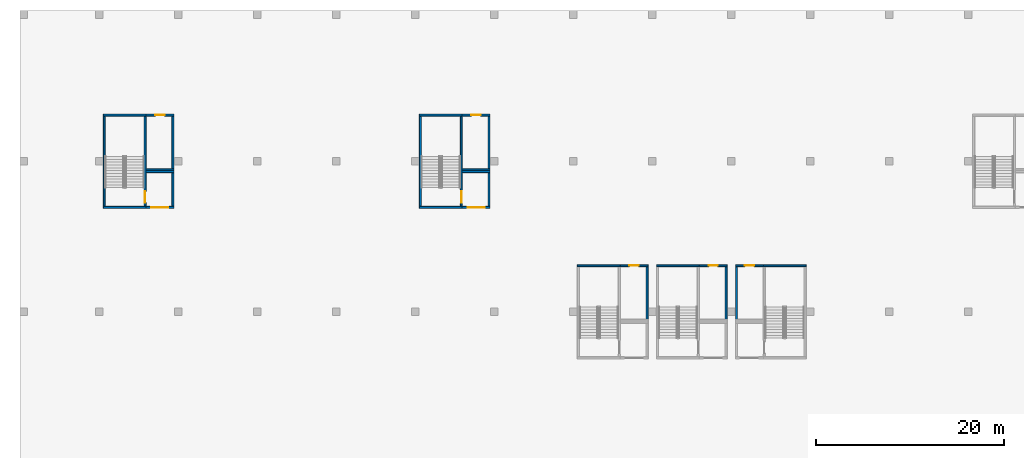
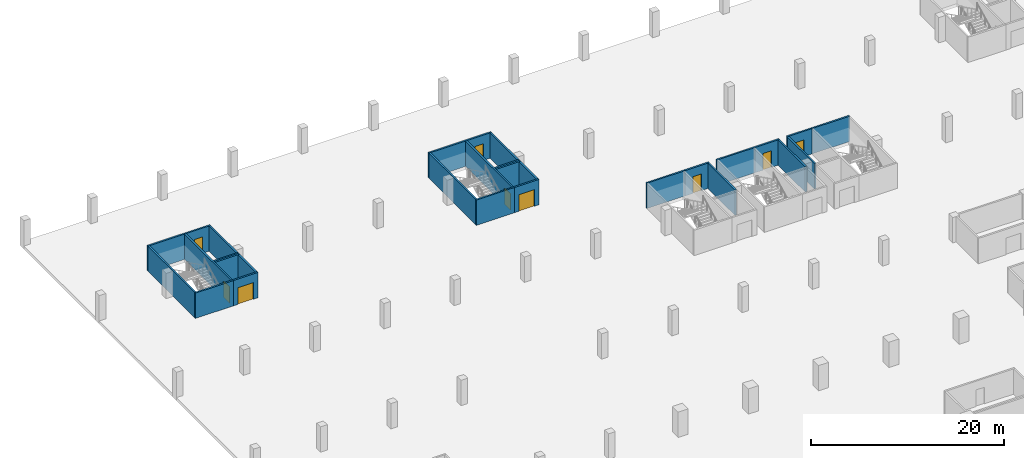
# One storey, part 15 of 37: 29 walls, 9 doors, 9 openings.
"""IFC4 building model written with IfcOpenShell, lengths in metres."""

from ifc_helpers import new_model, si_unit, direction, frame, frame_2d, origin, place, context, subcontext, project, spatial, rectangle, extrude, material, layer, layer_set, type_object, element, fill, save


model = new_model("IFC4")

# Units and contexts
model_context = context("Model", 3, precision=1e-05, world=origin(), true_north=direction((0.0, 1.0)))
body_context = subcontext(model_context, "Body", "Model", "MODEL_VIEW")
ifc_project = project(units=[si_unit("LENGTHUNIT", "METRE"), si_unit("AREAUNIT", "SQUARE_METRE"), si_unit("VOLUMEUNIT", "CUBIC_METRE"), si_unit("PLANEANGLEUNIT", "RADIAN"), si_unit("MASSUNIT", "GRAM", prefix="KILO")], contexts=[model_context])

# Site, building, storey
site_placement = place(None, origin())
site = spatial("IfcSite", under=ifc_project, at=site_placement, CompositionType="ELEMENT")
building_placement = place(site_placement, origin())
building = spatial("IfcBuilding", under=site, at=building_placement, Name="Tamra Quay Hotel Tower", CompositionType="ELEMENT")
storey_placement = place(building_placement, frame((0.0, 0.0, -7.199951171875)))
storey = spatial("IfcBuildingStorey", under=building, at=storey_placement, Name="B2", CompositionType="ELEMENT", Elevation=-7.199951171875)

# Wall, opening, door
ifc_material_1 = material(Name="Blockwork", Category="masonry")
ifc_layer_1 = layer(ifc_material_1, 0.199951171875)
ifc_layer_set_1 = layer_set([ifc_layer_1], Name="Car park room wall 200")
wall_type_1 = type_object("IfcWallType", Name="Car park room wall 200", PredefinedType="PARTITIONING", material=ifc_layer_set_1)
wall_1_placement = place(storey_placement, frame((-109.300048828125, 59.10009765625, 0.0), z_axis=(0.0, 0.0, 1.0), x_axis=(1.0, 0.0, 0.0)))
wall_1 = element("IfcWall", 1, at=wall_1_placement, inside=storey, type_object=wall_type_1, Name="PW", PredefinedType="PARTITIONING", context=body_context, shape_type="SweptSolid", body=[
    extrude(rectangle(XDim=2.949951171875, YDim=0.199951171875, at=frame_2d((1.47509765625, 0.0))), origin(), (0.0, 0.0, 1.0), 3.199951171875),
])
opening_1_placement = place(wall_1_placement, frame((0.574951171875, 0.0, 0.0)))
opening_1 = element("IfcOpeningElement", 2, at=opening_1_placement, cuts=wall_1, Name="Opening PD2", PredefinedType="OPENING", context=body_context, shape_type="SweptSolid", body=[
    extrude(rectangle(XDim=1.800048828125, YDim=2.10009765625, at=frame_2d((0.89990234375, 1.050048828125))), frame((0.0, 0.10986328125, 0.0), z_axis=(0.0, -1.0, 0.0), x_axis=(1.0, 0.0, 0.0)), (0.0, 0.0, 1.0), 0.219970703125),
])
ifc_material_2 = material(Name="Plant door 1800 x 2100")
door_type_1 = type_object("IfcDoorType", Name="Plant door 1800 x 2100", OperationType="DOUBLE_DOOR_SINGLE_SWING", PredefinedType="DOOR", material=ifc_material_2)
door_1_placement = place(opening_1_placement, origin())
door_1 = element("IfcDoor", 3, at=door_1_placement, inside=storey, type_object=door_type_1, Name="PD2", OperationType="DOUBLE_DOOR_SINGLE_SWING", OverallHeight=2.10009765625, OverallWidth=1.800048828125, PredefinedType="DOOR", context=body_context, shape_type="SweptSolid", body=[
    extrude(rectangle(XDim=1.800048828125, YDim=2.10009765625, at=frame_2d((0.89990234375, 1.050048828125))), frame((0.0, 0.02490234375, 0.0), z_axis=(0.0, -1.0, 0.0), x_axis=(1.0, 0.0, 0.0)), (0.0, 0.0, 1.0), 0.050048828125),
])
fill(opening_1, door_1)

# Walls
wall_2_placement = place(storey_placement, frame((-109.300048828125, 62.89990234375, 0.0), z_axis=(0.0, 0.0, 1.0), x_axis=(1.0, 0.0, 0.0)))
element("IfcWall", 4, at=wall_2_placement, inside=storey, type_object=wall_type_1, Name="PW", PredefinedType="PARTITIONING", context=body_context, shape_type="SweptSolid", body=[
    extrude(rectangle(XDim=2.949951171875, YDim=0.199951171875, at=frame_2d((1.47509765625, 0.0))), origin(), (0.0, 0.0, 1.0), 3.199951171875),
])
wall_3_placement = place(storey_placement, frame((-106.449951171875, 59.199951171875, 0.0), z_axis=(0.0, 0.0, 1.0), x_axis=(0.0, 1.0, 0.0)))
element("IfcWall", 5, at=wall_3_placement, inside=storey, type_object=wall_type_1, Name="PW", PredefinedType="PARTITIONING", context=body_context, shape_type="SweptSolid", body=[
    extrude(rectangle(XDim=3.60009765625, YDim=0.199951171875, at=frame_2d((1.800048828125, 0.0))), origin(), (0.0, 0.0, 1.0), 3.199951171875),
])
wall_4_placement = place(storey_placement, frame((-109.300048828125, 63.10009765625, 0.0), z_axis=(0.0, 0.0, 1.0), x_axis=(1.0, 0.0, 0.0)))
element("IfcWall", 6, at=wall_4_placement, inside=storey, type_object=wall_type_1, Name="PW", PredefinedType="PARTITIONING", context=body_context, shape_type="SweptSolid", body=[
    extrude(rectangle(XDim=2.949951171875, YDim=0.199951171875, at=frame_2d((1.47509765625, 0.0))), origin(), (0.0, 0.0, 1.0), 3.199951171875),
])

# Wall, opening, door
wall_5_placement = place(storey_placement, frame((-109.300048828125, 68.89990234375, 0.0), z_axis=(0.0, 0.0, 1.0), x_axis=(1.0, 0.0, 0.0)))
wall_5 = element("IfcWall", 7, at=wall_5_placement, inside=storey, type_object=wall_type_1, Name="PW", PredefinedType="PARTITIONING", context=body_context, shape_type="SweptSolid", body=[
    extrude(rectangle(XDim=2.949951171875, YDim=0.199951171875, at=frame_2d((1.47509765625, 0.0))), origin(), (0.0, 0.0, 1.0), 3.199951171875),
])
opening_2_placement = place(wall_5_placement, frame((0.97509765625, 0.0, 0.0)))
opening_2 = element("IfcOpeningElement", 8, at=opening_2_placement, cuts=wall_5, Name="Opening PD1", PredefinedType="OPENING", context=body_context, shape_type="SweptSolid", body=[
    extrude(rectangle(XDim=1.0, YDim=2.10009765625, at=frame_2d((0.5, 1.050048828125))), frame((0.0, 0.10986328125, 0.0), z_axis=(0.0, -1.0, 0.0), x_axis=(1.0, 0.0, 0.0)), (0.0, 0.0, 1.0), 0.219970703125),
])
ifc_material_3 = material(Name="Car park door 1000 x 2100")
door_type_2 = type_object("IfcDoorType", Name="Car park door 1000 x 2100", OperationType="NOTDEFINED", PredefinedType="DOOR", material=ifc_material_3)
door_2_placement = place(opening_2_placement, origin())
door_2 = element("IfcDoor", 9, at=door_2_placement, inside=storey, type_object=door_type_2, Name="PD1", OperationType="SINGLE_SWING_LEFT", OverallHeight=2.10009765625, OverallWidth=1.0, PredefinedType="DOOR", context=body_context, shape_type="SweptSolid", body=[
    extrude(rectangle(XDim=1.0, YDim=2.10009765625, at=frame_2d((0.5, 1.050048828125))), frame((0.0, 0.02490234375, 0.0), z_axis=(0.0, -1.0, 0.0), x_axis=(1.0, 0.0, 0.0)), (0.0, 0.0, 1.0), 0.050048828125),
])
fill(opening_2, door_2)

# Wall
wall_6_placement = place(storey_placement, frame((-106.449951171875, 63.199951171875, 0.0), z_axis=(0.0, 0.0, 1.0), x_axis=(0.0, 1.0, 0.0)))
element("IfcWall", 10, at=wall_6_placement, inside=storey, type_object=wall_type_1, Name="PW", PredefinedType="PARTITIONING", context=body_context, shape_type="SweptSolid", body=[
    extrude(rectangle(XDim=5.60009765625, YDim=0.199951171875, at=frame_2d((2.800048828125, 0.0))), origin(), (0.0, 0.0, 1.0), 3.199951171875),
])

# Wall, opening, door
wall_7_placement = place(storey_placement, frame((-75.699951171875, 59.10009765625, 0.0), z_axis=(0.0, 0.0, 1.0), x_axis=(1.0, 0.0, 0.0)))
wall_7 = element("IfcWall", 11, at=wall_7_placement, inside=storey, type_object=wall_type_1, Name="PW", PredefinedType="PARTITIONING", context=body_context, shape_type="SweptSolid", body=[
    extrude(rectangle(XDim=2.949951171875, YDim=0.199951171875, at=frame_2d((1.47509765625, 0.0))), origin(), (0.0, 0.0, 1.0), 3.199951171875),
])
opening_3_placement = place(wall_7_placement, frame((0.574951171875, 0.0, 0.0)))
opening_3 = element("IfcOpeningElement", 12, at=opening_3_placement, cuts=wall_7, Name="Opening PD2", PredefinedType="OPENING", context=body_context, shape_type="SweptSolid", body=[
    extrude(rectangle(XDim=1.800048828125, YDim=2.10009765625, at=frame_2d((0.89990234375, 1.050048828125))), frame((0.0, 0.10986328125, 0.0), z_axis=(0.0, -1.0, 0.0), x_axis=(1.0, 0.0, 0.0)), (0.0, 0.0, 1.0), 0.219970703125),
])
door_3_placement = place(opening_3_placement, origin())
door_3 = element("IfcDoor", 13, at=door_3_placement, inside=storey, type_object=door_type_1, Name="PD2", OperationType="DOUBLE_DOOR_SINGLE_SWING", OverallHeight=2.10009765625, OverallWidth=1.800048828125, PredefinedType="DOOR", context=body_context, shape_type="SweptSolid", body=[
    extrude(rectangle(XDim=1.800048828125, YDim=2.10009765625, at=frame_2d((0.89990234375, 1.050048828125))), frame((0.0, 0.02490234375, 0.0), z_axis=(0.0, -1.0, 0.0), x_axis=(1.0, 0.0, 0.0)), (0.0, 0.0, 1.0), 0.050048828125),
])
fill(opening_3, door_3)

# Walls
wall_8_placement = place(storey_placement, frame((-75.699951171875, 62.89990234375, 0.0), z_axis=(0.0, 0.0, 1.0), x_axis=(1.0, 0.0, 0.0)))
element("IfcWall", 14, at=wall_8_placement, inside=storey, type_object=wall_type_1, Name="PW", PredefinedType="PARTITIONING", context=body_context, shape_type="SweptSolid", body=[
    extrude(rectangle(XDim=2.949951171875, YDim=0.199951171875, at=frame_2d((1.47509765625, 0.0))), origin(), (0.0, 0.0, 1.0), 3.199951171875),
])
wall_9_placement = place(storey_placement, frame((-72.85009765625, 59.199951171875, 0.0), z_axis=(0.0, 0.0, 1.0), x_axis=(0.0, 1.0, 0.0)))
element("IfcWall", 15, at=wall_9_placement, inside=storey, type_object=wall_type_1, Name="PW", PredefinedType="PARTITIONING", context=body_context, shape_type="SweptSolid", body=[
    extrude(rectangle(XDim=3.60009765625, YDim=0.199951171875, at=frame_2d((1.800048828125, 0.0))), origin(), (0.0, 0.0, 1.0), 3.199951171875),
])
wall_10_placement = place(storey_placement, frame((-75.699951171875, 63.10009765625, 0.0), z_axis=(0.0, 0.0, 1.0), x_axis=(1.0, 0.0, 0.0)))
element("IfcWall", 16, at=wall_10_placement, inside=storey, type_object=wall_type_1, Name="PW", PredefinedType="PARTITIONING", context=body_context, shape_type="SweptSolid", body=[
    extrude(rectangle(XDim=2.949951171875, YDim=0.199951171875, at=frame_2d((1.47509765625, 0.0))), origin(), (0.0, 0.0, 1.0), 3.199951171875),
])

# Wall, opening, door
wall_11_placement = place(storey_placement, frame((-75.699951171875, 68.89990234375, 0.0), z_axis=(0.0, 0.0, 1.0), x_axis=(1.0, 0.0, 0.0)))
wall_11 = element("IfcWall", 17, at=wall_11_placement, inside=storey, type_object=wall_type_1, Name="PW", PredefinedType="PARTITIONING", context=body_context, shape_type="SweptSolid", body=[
    extrude(rectangle(XDim=2.949951171875, YDim=0.199951171875, at=frame_2d((1.47509765625, 0.0))), origin(), (0.0, 0.0, 1.0), 3.199951171875),
])
opening_4_placement = place(wall_11_placement, frame((0.97509765625, 0.0, 0.0)))
opening_4 = element("IfcOpeningElement", 18, at=opening_4_placement, cuts=wall_11, Name="Opening PD1", PredefinedType="OPENING", context=body_context, shape_type="SweptSolid", body=[
    extrude(rectangle(XDim=1.0, YDim=2.10009765625, at=frame_2d((0.5, 1.050048828125))), frame((0.0, 0.10986328125, 0.0), z_axis=(0.0, -1.0, 0.0), x_axis=(1.0, 0.0, 0.0)), (0.0, 0.0, 1.0), 0.219970703125),
])
door_4_placement = place(opening_4_placement, origin())
door_4 = element("IfcDoor", 19, at=door_4_placement, inside=storey, type_object=door_type_2, Name="PD1", OperationType="SINGLE_SWING_LEFT", OverallHeight=2.10009765625, OverallWidth=1.0, PredefinedType="DOOR", context=body_context, shape_type="SweptSolid", body=[
    extrude(rectangle(XDim=1.0, YDim=2.10009765625, at=frame_2d((0.5, 1.050048828125))), frame((0.0, 0.02490234375, 0.0), z_axis=(0.0, -1.0, 0.0), x_axis=(1.0, 0.0, 0.0)), (0.0, 0.0, 1.0), 0.050048828125),
])
fill(opening_4, door_4)

# Wall
wall_12_placement = place(storey_placement, frame((-72.85009765625, 63.199951171875, 0.0), z_axis=(0.0, 0.0, 1.0), x_axis=(0.0, 1.0, 0.0)))
element("IfcWall", 20, at=wall_12_placement, inside=storey, type_object=wall_type_1, Name="PW", PredefinedType="PARTITIONING", context=body_context, shape_type="SweptSolid", body=[
    extrude(rectangle(XDim=5.60009765625, YDim=0.199951171875, at=frame_2d((2.800048828125, 0.0))), origin(), (0.0, 0.0, 1.0), 3.199951171875),
])

# Wall, opening, door
wall_13_placement = place(storey_placement, frame((-58.89990234375, 52.89990234375, 0.0), z_axis=(0.0, 0.0, 1.0), x_axis=(1.0, 0.0, 0.0)))
wall_13 = element("IfcWall", 21, at=wall_13_placement, inside=storey, type_object=wall_type_1, Name="PW", PredefinedType="PARTITIONING", context=body_context, shape_type="SweptSolid", body=[
    extrude(rectangle(XDim=2.949951171875, YDim=0.199951171875, at=frame_2d((1.47509765625, 0.0))), origin(), (0.0, 0.0, 1.0), 3.199951171875),
])
opening_5_placement = place(wall_13_placement, frame((0.97509765625, 0.0, 0.0)))
opening_5 = element("IfcOpeningElement", 22, at=opening_5_placement, cuts=wall_13, Name="Opening PD1", PredefinedType="OPENING", context=body_context, shape_type="SweptSolid", body=[
    extrude(rectangle(XDim=1.0, YDim=2.10009765625, at=frame_2d((0.5, 1.050048828125))), frame((0.0, 0.10986328125, 0.0), z_axis=(0.0, -1.0, 0.0), x_axis=(1.0, 0.0, 0.0)), (0.0, 0.0, 1.0), 0.219970703125),
])
door_5_placement = place(opening_5_placement, origin())
door_5 = element("IfcDoor", 23, at=door_5_placement, inside=storey, type_object=door_type_2, Name="PD1", OperationType="SINGLE_SWING_LEFT", OverallHeight=2.10009765625, OverallWidth=1.0, PredefinedType="DOOR", context=body_context, shape_type="SweptSolid", body=[
    extrude(rectangle(XDim=1.0, YDim=2.10009765625, at=frame_2d((0.5, 1.050048828125))), frame((0.0, 0.02490234375, 0.0), z_axis=(0.0, -1.0, 0.0), x_axis=(1.0, 0.0, 0.0)), (0.0, 0.0, 1.0), 0.050048828125),
])
fill(opening_5, door_5)

# Wall
wall_14_placement = place(storey_placement, frame((-56.050048828125, 47.199951171875, 0.0), z_axis=(0.0, 0.0, 1.0), x_axis=(0.0, 1.0, 0.0)))
element("IfcWall", 24, at=wall_14_placement, inside=storey, type_object=wall_type_1, Name="PW", PredefinedType="PARTITIONING", context=body_context, shape_type="SweptSolid", body=[
    extrude(rectangle(XDim=5.60009765625, YDim=0.199951171875, at=frame_2d((2.800048828125, 0.0))), origin(), (0.0, 0.0, 1.0), 3.199951171875),
])

# Wall, opening, door
wall_15_placement = place(storey_placement, frame((-50.5, 52.89990234375, 0.0), z_axis=(0.0, 0.0, 1.0), x_axis=(1.0, 0.0, 0.0)))
wall_15 = element("IfcWall", 25, at=wall_15_placement, inside=storey, type_object=wall_type_1, Name="PW", PredefinedType="PARTITIONING", context=body_context, shape_type="SweptSolid", body=[
    extrude(rectangle(XDim=2.949951171875, YDim=0.199951171875, at=frame_2d((1.47509765625, 0.0))), origin(), (0.0, 0.0, 1.0), 3.199951171875),
])
opening_6_placement = place(wall_15_placement, frame((0.97509765625, 0.0, 0.0)))
opening_6 = element("IfcOpeningElement", 26, at=opening_6_placement, cuts=wall_15, Name="Opening PD1", PredefinedType="OPENING", context=body_context, shape_type="SweptSolid", body=[
    extrude(rectangle(XDim=1.0, YDim=2.10009765625, at=frame_2d((0.5, 1.050048828125))), frame((0.0, 0.10986328125, 0.0), z_axis=(0.0, -1.0, 0.0), x_axis=(1.0, 0.0, 0.0)), (0.0, 0.0, 1.0), 0.219970703125),
])
door_6_placement = place(opening_6_placement, origin())
door_6 = element("IfcDoor", 27, at=door_6_placement, inside=storey, type_object=door_type_2, Name="PD1", OperationType="SINGLE_SWING_LEFT", OverallHeight=2.10009765625, OverallWidth=1.0, PredefinedType="DOOR", context=body_context, shape_type="SweptSolid", body=[
    extrude(rectangle(XDim=1.0, YDim=2.10009765625, at=frame_2d((0.5, 1.050048828125))), frame((0.0, 0.02490234375, 0.0), z_axis=(0.0, -1.0, 0.0), x_axis=(1.0, 0.0, 0.0)), (0.0, 0.0, 1.0), 0.050048828125),
])
fill(opening_6, door_6)

# Wall
wall_16_placement = place(storey_placement, frame((-47.64990234375, 47.199951171875, 0.0), z_axis=(0.0, 0.0, 1.0), x_axis=(0.0, 1.0, 0.0)))
element("IfcWall", 28, at=wall_16_placement, inside=storey, type_object=wall_type_1, Name="PW", PredefinedType="PARTITIONING", context=body_context, shape_type="SweptSolid", body=[
    extrude(rectangle(XDim=5.60009765625, YDim=0.199951171875, at=frame_2d((2.800048828125, 0.0))), origin(), (0.0, 0.0, 1.0), 3.199951171875),
])

# Wall, opening, door
wall_17_placement = place(storey_placement, frame((-46.64990234375, 52.89990234375, 0.0), z_axis=(0.0, 0.0, 1.0), x_axis=(1.0, 0.0, 0.0)))
wall_17 = element("IfcWall", 29, at=wall_17_placement, inside=storey, type_object=wall_type_1, Name="PW", PredefinedType="PARTITIONING", context=body_context, shape_type="SweptSolid", body=[
    extrude(rectangle(XDim=2.949951171875, YDim=0.199951171875, at=frame_2d((1.47509765625, 0.0))), origin(), (0.0, 0.0, 1.0), 3.199951171875),
])
opening_7_placement = place(wall_17_placement, frame((0.97509765625, 0.0, 0.0)))
opening_7 = element("IfcOpeningElement", 30, at=opening_7_placement, cuts=wall_17, Name="Opening PD1", PredefinedType="OPENING", context=body_context, shape_type="SweptSolid", body=[
    extrude(rectangle(XDim=1.0, YDim=2.10009765625, at=frame_2d((0.5, 1.050048828125))), frame((0.0, 0.10986328125, 0.0), z_axis=(0.0, -1.0, 0.0), x_axis=(1.0, 0.0, 0.0)), (0.0, 0.0, 1.0), 0.219970703125),
])
door_7_placement = place(opening_7_placement, origin())
door_7 = element("IfcDoor", 31, at=door_7_placement, inside=storey, type_object=door_type_2, Name="PD1", OperationType="SINGLE_SWING_LEFT", OverallHeight=2.10009765625, OverallWidth=1.0, PredefinedType="DOOR", context=body_context, shape_type="SweptSolid", body=[
    extrude(rectangle(XDim=1.0, YDim=2.10009765625, at=frame_2d((0.5, 1.050048828125))), frame((0.0, 0.02490234375, 0.0), z_axis=(0.0, -1.0, 0.0), x_axis=(1.0, 0.0, 0.0)), (0.0, 0.0, 1.0), 0.050048828125),
])
fill(opening_7, door_7)

# Walls
wall_18_placement = place(storey_placement, frame((-46.550048828125, 47.199951171875, 0.0), z_axis=(0.0, 0.0, 1.0), x_axis=(0.0, 1.0, 0.0)))
element("IfcWall", 32, at=wall_18_placement, inside=storey, type_object=wall_type_1, Name="PW", PredefinedType="PARTITIONING", context=body_context, shape_type="SweptSolid", body=[
    extrude(rectangle(XDim=5.60009765625, YDim=0.199951171875, at=frame_2d((2.800048828125, 0.0))), origin(), (0.0, 0.0, 1.0), 3.199951171875),
])
ifc_material_4 = material(Name="Concrete M70", Category="concrete")
ifc_layer_2 = layer(ifc_material_4, 0.199951171875)
ifc_layer_set_2 = layer_set([ifc_layer_2], Name="Concrete M70 stair enclosure wall 200")
wall_type_2 = type_object("IfcWallType", Name="Concrete M70 stair enclosure wall 200", PredefinedType="SOLIDWALL", material=ifc_layer_set_2)
wall_19_placement = place(storey_placement, frame((-113.75, 59.199951171875, 0.0), z_axis=(0.0, 0.0, 1.0), x_axis=(0.0, 1.0, 0.0)))
element("IfcWall", 33, at=wall_19_placement, inside=storey, type_object=wall_type_2, Name="SEW", PredefinedType="SOLIDWALL", context=body_context, shape_type="SweptSolid", body=[
    extrude(rectangle(XDim=9.60009765625, YDim=0.199951171875, at=frame_2d((4.800048828125, 0.0))), origin(), (0.0, 0.0, 1.0), 3.199951171875),
])

# Wall, opening, door
wall_20_placement = place(storey_placement, frame((-109.39990234375, 59.199951171875, 0.0), z_axis=(0.0, 0.0, 1.0), x_axis=(0.0, 1.0, 0.0)))
wall_20 = element("IfcWall", 34, at=wall_20_placement, inside=storey, type_object=wall_type_2, Name="SEW", PredefinedType="SOLIDWALL", context=body_context, shape_type="SweptSolid", body=[
    extrude(rectangle(XDim=9.60009765625, YDim=0.199951171875, at=frame_2d((4.800048828125, 0.0))), origin(), (0.0, 0.0, 1.0), 3.199951171875),
])
opening_8_placement = place(wall_20_placement, frame((0.39990234375, 0.0, 0.0)))
opening_8 = element("IfcOpeningElement", 35, at=opening_8_placement, cuts=wall_20, Name="Opening SD1", PredefinedType="OPENING", context=body_context, shape_type="SweptSolid", body=[
    extrude(rectangle(XDim=1.199951171875, YDim=2.10009765625, at=frame_2d((0.60009765625, 1.050048828125))), frame((0.0, 0.10986328125, 0.0), z_axis=(0.0, -1.0, 0.0), x_axis=(1.0, 0.0, 0.0)), (0.0, 0.0, 1.0), 0.219970703125),
])
ifc_material_5 = material(Name="Stair door 1200 x 2100")
door_type_3 = type_object("IfcDoorType", Name="Stair door 1200 x 2100", OperationType="NOTDEFINED", PredefinedType="DOOR", material=ifc_material_5)
door_8_placement = place(opening_8_placement, origin())
door_8 = element("IfcDoor", 36, at=door_8_placement, inside=storey, type_object=door_type_3, Name="SD1", OperationType="SINGLE_SWING_LEFT", OverallHeight=2.10009765625, OverallWidth=1.199951171875, PredefinedType="DOOR", context=body_context, shape_type="SweptSolid", body=[
    extrude(rectangle(XDim=1.199951171875, YDim=2.10009765625, at=frame_2d((0.60009765625, 1.050048828125))), frame((0.0, 0.02490234375, 0.0), z_axis=(0.0, -1.0, 0.0), x_axis=(1.0, 0.0, 0.0)), (0.0, 0.0, 1.0), 0.050048828125),
])
fill(opening_8, door_8)

# Walls
for number, where, z_axis, x_axis, name in (
    (37, (-109.300048828125, 59.10009765625, 0.0), (0.0, 0.0, 1.0), (-1.0, 0.0, 0.0), "SEW"),
    (38, (-113.85009765625, 68.89990234375, 0.0), (0.0, 0.0, 1.0), (1.0, 0.0, 0.0), "SEW"),
):
    element("IfcWall", number, at=place(storey_placement, frame(where, z_axis=z_axis, x_axis=x_axis)), inside=storey, type_object=wall_type_2, Name=name, PredefinedType="SOLIDWALL", context=body_context, shape_type="SweptSolid", body=[
        extrude(rectangle(XDim=4.550048828125, YDim=0.199951171875, at=frame_2d((2.27490234375, 0.0))), origin(), (0.0, 0.0, 1.0), 3.199951171875),
    ])
wall_21_placement = place(storey_placement, frame((-80.14990234375, 59.199951171875, 0.0), z_axis=(0.0, 0.0, 1.0), x_axis=(0.0, 1.0, 0.0)))
element("IfcWall", 39, at=wall_21_placement, inside=storey, type_object=wall_type_2, Name="SEW", PredefinedType="SOLIDWALL", context=body_context, shape_type="SweptSolid", body=[
    extrude(rectangle(XDim=9.60009765625, YDim=0.199951171875, at=frame_2d((4.800048828125, 0.0))), origin(), (0.0, 0.0, 1.0), 3.199951171875),
])

# Wall, opening, door
wall_22_placement = place(storey_placement, frame((-75.800048828125, 59.199951171875, 0.0), z_axis=(0.0, 0.0, 1.0), x_axis=(0.0, 1.0, 0.0)))
wall_22 = element("IfcWall", 40, at=wall_22_placement, inside=storey, type_object=wall_type_2, Name="SEW", PredefinedType="SOLIDWALL", context=body_context, shape_type="SweptSolid", body=[
    extrude(rectangle(XDim=9.60009765625, YDim=0.199951171875, at=frame_2d((4.800048828125, 0.0))), origin(), (0.0, 0.0, 1.0), 3.199951171875),
])
opening_9_placement = place(wall_22_placement, frame((0.39990234375, 0.0, 0.0)))
opening_9 = element("IfcOpeningElement", 41, at=opening_9_placement, cuts=wall_22, Name="Opening SD1", PredefinedType="OPENING", context=body_context, shape_type="SweptSolid", body=[
    extrude(rectangle(XDim=1.199951171875, YDim=2.10009765625, at=frame_2d((0.60009765625, 1.050048828125))), frame((0.0, 0.10986328125, 0.0), z_axis=(0.0, -1.0, 0.0), x_axis=(1.0, 0.0, 0.0)), (0.0, 0.0, 1.0), 0.219970703125),
])
door_9_placement = place(opening_9_placement, origin())
door_9 = element("IfcDoor", 42, at=door_9_placement, inside=storey, type_object=door_type_3, Name="SD1", OperationType="SINGLE_SWING_LEFT", OverallHeight=2.10009765625, OverallWidth=1.199951171875, PredefinedType="DOOR", context=body_context, shape_type="SweptSolid", body=[
    extrude(rectangle(XDim=1.199951171875, YDim=2.10009765625, at=frame_2d((0.60009765625, 1.050048828125))), frame((0.0, 0.02490234375, 0.0), z_axis=(0.0, -1.0, 0.0), x_axis=(1.0, 0.0, 0.0)), (0.0, 0.0, 1.0), 0.050048828125),
])
fill(opening_9, door_9)

# Walls
for number, where, z_axis, x_axis, name in (
    (43, (-75.699951171875, 59.10009765625, 0.0), (0.0, 0.0, 1.0), (-1.0, 0.0, 0.0), "SEW"),
    (44, (-80.25, 68.89990234375, 0.0), (0.0, 0.0, 1.0), (1.0, 0.0, 0.0), "SEW"),
    (45, (-63.449951171875, 52.89990234375, 0.0), (0.0, 0.0, 1.0), (1.0, 0.0, 0.0), "SEW"),
    (46, (-55.050048828125, 52.89990234375, 0.0), (0.0, 0.0, 1.0), (1.0, 0.0, 0.0), "SEW"),
    (47, (-43.699951171875, 52.89990234375, 0.0), (0.0, 0.0, 1.0), (1.0, 0.0, 0.0), "SEW"),
):
    element("IfcWall", number, at=place(storey_placement, frame(where, z_axis=z_axis, x_axis=x_axis)), inside=storey, type_object=wall_type_2, Name=name, PredefinedType="SOLIDWALL", context=body_context, shape_type="SweptSolid", body=[
        extrude(rectangle(XDim=4.550048828125, YDim=0.199951171875, at=frame_2d((2.27490234375, 0.0))), origin(), (0.0, 0.0, 1.0), 3.199951171875),
    ])

save(model, "model.ifc")
